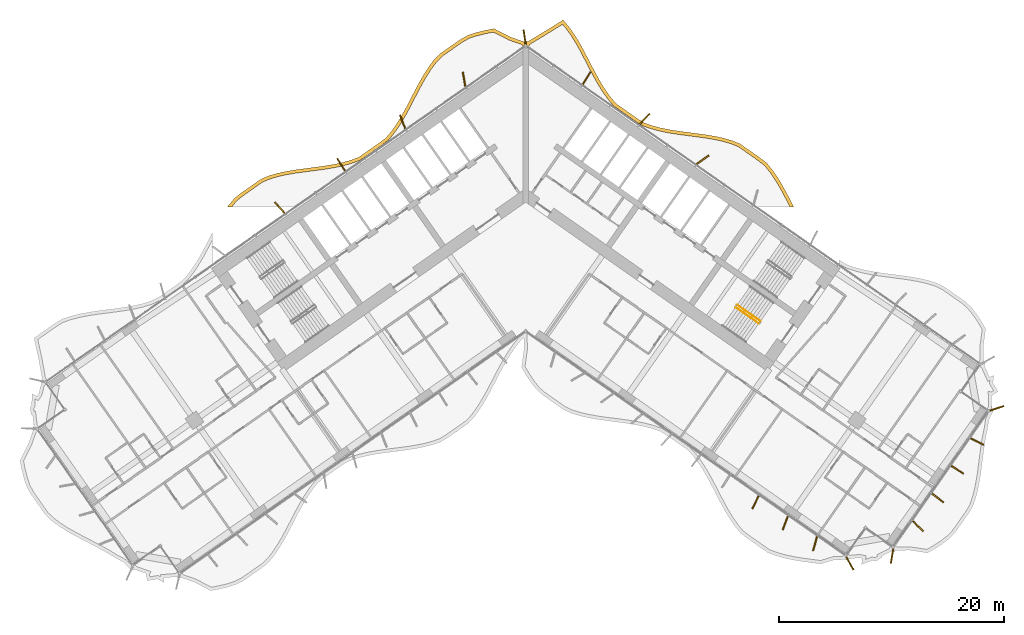
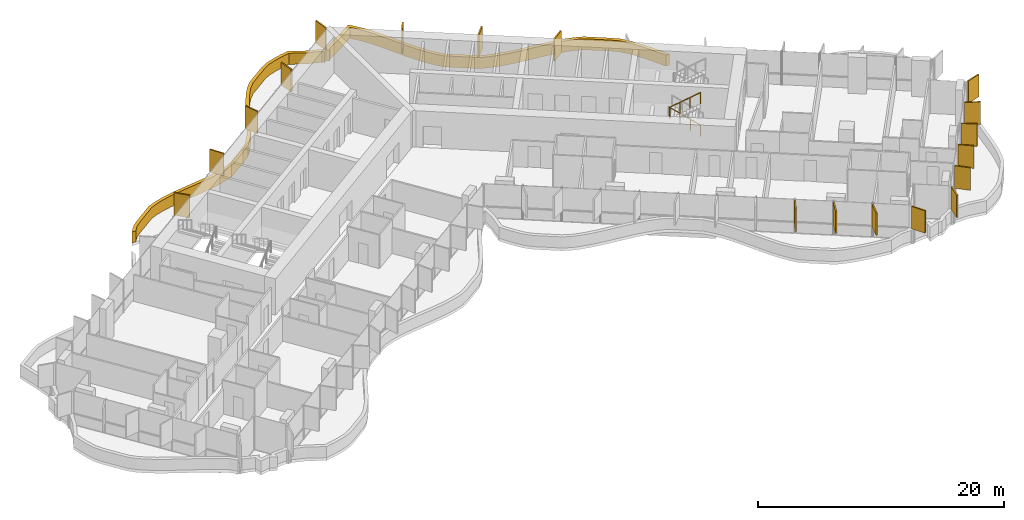
# One storey, part 22 of 23: 19 shading devices, 2 railings.
"""IFC4 building model written with IfcOpenShell, lengths in metres."""

from ifc_helpers import new_model, si_unit, direction, frame, origin, origin_2d, place, context, subcontext, project, spatial, polyline, rectangle, circle, outline, extrude, material, layer, layer_set, type_object, element, save


model = new_model("IFC4")

# Units and contexts
model_context = context("Model", 3, precision=1e-05, world=origin(), true_north=direction((0.0, 1.0)))
body_context = subcontext(model_context, "Body", "Model", "MODEL_VIEW")
ifc_project = project(units=[si_unit("LENGTHUNIT", "METRE"), si_unit("AREAUNIT", "SQUARE_METRE"), si_unit("VOLUMEUNIT", "CUBIC_METRE"), si_unit("PLANEANGLEUNIT", "RADIAN"), si_unit("MASSUNIT", "GRAM", prefix="KILO")], contexts=[model_context])

# Site, building, storey
site_placement = place(None, origin())
site = spatial("IfcSite", under=ifc_project, at=site_placement, CompositionType="ELEMENT")
building_placement = place(site_placement, origin())
building = spatial("IfcBuilding", under=site, at=building_placement, Name="Tel Ilan Convention Tower", CompositionType="ELEMENT")
storey_placement = place(building_placement, frame((0.0, 0.0, 83.300048828125)))
storey = spatial("IfcBuildingStorey", under=building, at=storey_placement, Name="L16", CompositionType="ELEMENT", Elevation=83.300048828125)

# Shading devices
ifc_material_1 = material(Name="Aluminium, bronze anodised", Category="aluminium")
ifc_layer_1 = layer(ifc_material_1, 0.1201171875)
ifc_layer_set_1 = layer_set([ifc_layer_1], Name="FIN BRONZE 1300x120")
shading_device_type_1 = type_object("IfcShadingDeviceType", Name="FIN BRONZE 1300x120", PredefinedType="USERDEFINED", material=ifc_layer_set_1)
for number, where, z_axis, x_axis, name in (
    (1, (15.761474609375, 2.5537109375, 1.10009765625), (0.0, 0.0, 1.0), (0.813552070258, 0.581492071294, 0.0), "FIN"),
    (2, (10.598388671875, 6.192138671875, 1.10009765625), (0.0, 0.0, 1.0), (0.686241637865, 0.727373641577, 0.0), "FIN"),
    (3, (5.421875, 9.817138671875, 1.10009765625), (0.0, 0.0, 1.0), (0.533204432798, 0.845986425922, 0.0), "FIN"),
    (4, (-0.09423828125, 13.469482421875, 1.10009765625), (0.0, 0.0, 1.0), (-0.144931859301, 0.989441638582, 0.0), "FIN"),
    (5, (-5.48779296875, 9.72509765625, 1.10009765625), (0.0, 0.0, 1.0), (-0.173648177667, 0.984807753012, 0.0), "FIN"),
    (6, (-10.963134765625, 5.928955078125, 1.10009765625), (0.0, 0.0, 1.0), (-0.360177724803, 0.932883704733, 0.0), "FIN"),
    (7, (-16.4296875, 2.109619140625, 1.10009765625), (0.0, 0.0, 1.0), (-0.533204432798, 0.845986425922, 0.0), "FIN"),
    (8, (-21.89306640625, -1.71630859375, 1.10009765625), (0.0, 0.0, 1.0), (-0.686241637865, 0.727373641577, 0.0), "FIN"),
    (9, (20.464111328125, -27.9423828125, 1.10009765625), (0.0, 0.0, 1.0), (-0.448799180206, -0.893632640321, 0.0), "FIN"),
    (10, (23.113525390625, -29.78955078125, 1.10009765625), (0.0, 0.0, 1.0), (-0.360177724803, -0.932883704733, 0.0), "FIN"),
    (11, (25.76513671875, -31.631103515625, 1.10009765625), (0.0, 0.0, 1.0), (-0.268172612768, -0.963370878614, 0.0), "FIN"),
    (12, (28.86865234375, -33.391357421875, 1.10009765625), (0.0, 0.0, 1.0), (0.491579408049, -0.870832754082, 0.0), "FIN"),
    (13, (32.62060546875, -32.729736328125, 1.10009765625), (0.0, 0.0, 1.0), (-0.16409119891, -0.986445172547, 0.0), "FIN"),
    (14, (34.924072265625, -30.0625, 1.10009765625), (0.0, 0.0, 1.0), (0.727373641577, -0.686241637865, 0.0), "FIN"),
    (15, (36.68115234375, -27.553955078125, 1.10009765625), (0.0, 0.0, 1.0), (0.790392669516, -0.612600545196, 0.0), "FIN"),
    (16, (38.43798828125, -25.044921875, 1.10009765625), (0.0, 0.0, 1.0), (0.845986425922, -0.533204432798, 0.0), "FIN"),
    (17, (40.1943359375, -22.535888671875, 1.10009765625), (0.0, 0.0, 1.0), (0.893632640321, -0.448799180206, 0.0), "FIN"),
    (18, (41.95263671875, -19.576171875, 1.10009765625), (0.0, 0.0, 1.0), (0.949242643575, 0.314544756146, 0.0), "FIN"),
):
    element("IfcShadingDevice", number, at=place(storey_placement, frame(where, z_axis=z_axis, x_axis=x_axis)), inside=storey, type_object=shading_device_type_1, Name=name, ObjectType="FIN", PredefinedType="USERDEFINED", context=body_context, shape_type="SweptSolid", body=[
        extrude(rectangle(XDim=1.300048828125, YDim=0.1201171875, at=origin_2d()), origin(), (0.0, 0.0, 1.0), 2.219970703125),
    ])
ifc_material_2 = material(Name="Aluminium, bronze anodised", Category="aluminium")
ifc_layer_2 = layer(ifc_material_2, 0.300048828125)
ifc_layer_set_2 = layer_set([ifc_layer_2], Name="LOUVRE BAND 300x1100")
shading_device_type_2 = type_object("IfcShadingDeviceType", Name="LOUVRE BAND 300x1100", PredefinedType="USERDEFINED", material=ifc_layer_set_2)
shading_device_placement = place(storey_placement, origin())
element("IfcShadingDevice", 19, at=shading_device_placement, inside=storey, type_object=shading_device_type_2, Name="LOUVRE BAND 15.02", ObjectType="LOUVRE", PredefinedType="USERDEFINED", context=body_context, shape_type="SweptSolid", body=[
    extrude(outline(polyline([(-26.470947265625, -1.533447265625), (-26.5380859375, -1.631591796875), (-26.164794921875, -1.631591796875), (-25.768798828125, -1.13916015625), (-25.22119140625, -0.691162109375), (-23.4189453125, 0.570556640625), (-22.757568359375, 0.845947265625), (-22.025146484375, 1.0595703125), (-21.250732421875, 1.229248046875), (-20.445556640625, 1.36474609375), (-17.94091796875, 1.697021484375), (-17.10986328125, 1.831298828125), (-16.29736328125, 2.001220703125), (-15.51171875, 2.2197265625), (-14.73974609375, 2.50537109375), (-14.091552734375, 2.951171875), (-12.86083984375, 3.812744140625), (-12.2314453125, 4.287841796875), (-11.706298828125, 4.921142578125), (-11.2373046875, 5.590576171875), (-10.803466796875, 6.300537109375), (-10.395751953125, 7.0380859375), (-9.617919921875, 8.540283203125), (-9.227294921875, 9.275390625), (-8.822509765625, 9.9814453125), (-8.39501953125, 10.64501953125), (-7.941650390625, 11.25048828125), (-7.44140625, 11.75830078125), (-5.638916015625, 13.020263671875), (-5.01953125, 13.36328125), (-4.31494140625, 13.594970703125), (-3.555908203125, 13.7822265625), (-2.858154296875, 13.91259765625), (-1.501220703125, 13.2119140625), (-0.362548828125, 12.812744140625), (-0.24609375, 12.646728515625), (0.0, 12.818115234375), (0.24609375, 12.646728515625), (0.38134765625, 12.839599609375), (1.88916015625, 13.747314453125), (3.271728515625, 14.607177734375), (3.593017578125, 14.232666015625), (4.037353515625, 13.614990234375), (4.454345703125, 12.947998046875), (4.8505859375, 12.2421875), (6.0068359375, 10.025390625), (6.4140625, 9.2998046875), (6.84814453125, 8.603759765625), (7.318115234375, 7.94921875), (7.845947265625, 7.3291015625), (9.697021484375, 6.0283203125), (10.3486328125, 5.60009765625), (11.1142578125, 5.323974609375), (11.8935546875, 5.112060546875), (12.69873046875, 4.94677734375), (13.521240234375, 4.815673828125), (15.99755859375, 4.4873046875), (16.79345703125, 4.35302734375), (17.559326171875, 4.18505859375), (18.284423828125, 3.97412109375), (18.94091796875, 3.7060546875), (20.723876953125, 2.457763671875), (21.272216796875, 2.02392578125), (21.729736328125, 1.462646484375), (22.166748046875, 0.83154296875), (22.57763671875, 0.153564453125), (22.97021484375, -0.56005859375), (23.52587890625, -1.631591796875), (23.86328125, -1.631591796875), (23.23486328125, -0.41845703125), (22.837646484375, 0.303466796875), (22.418701171875, 0.99462890625), (21.9697265625, 1.64306640625), (21.484130859375, 2.239013671875), (20.903076171875, 2.698486328125), (19.08544921875, 3.97119140625), (18.38330078125, 4.2578125), (17.63330078125, 4.47607421875), (16.8505859375, 4.647705078125), (16.043212890625, 4.783935546875), (13.564697265625, 5.112548828125), (12.75244140625, 5.241943359375), (11.963134765625, 5.404052734375), (11.20458984375, 5.610107421875), (10.483642578125, 5.8701171875), (9.865478515625, 6.276611328125), (8.050048828125, 7.55224609375), (7.5546875, 8.134033203125), (7.09765625, 8.770751953125), (6.672119140625, 9.452880859375), (6.2705078125, 10.168701171875), (5.1142578125, 12.385498046875), (4.71240234375, 13.100830078125), (4.28662109375, 13.7822265625), (3.8291015625, 14.418212890625), (3.331787109375, 14.997802734375), (1.732666015625, 14.003173828125), (0.168701171875, 13.059326171875), (0.11474609375, 13.09521484375), (0.0, 13.1181640625), (-0.11474609375, 13.09521484375), (-0.168701171875, 13.059326171875), (-1.382080078125, 13.48828125), (-2.81201171875, 14.226318359375), (-3.619384765625, 14.075439453125), (-4.39794921875, 13.883544921875), (-5.14013671875, 13.639404296875), (-5.798095703125, 13.275146484375), (-7.635986328125, 11.98828125), (-8.169677734375, 11.446533203125), (-8.641357421875, 10.81640625), (-9.078857421875, 10.13720703125), (-9.489990234375, 9.42041015625), (-9.8837890625, 8.67919921875), (-10.66015625, 7.179931640625), (-11.06298828125, 6.451416015625), (-11.488525390625, 5.755126953125), (-11.945068359375, 5.103271484375), (-12.43994140625, 4.506103515625), (-13.037353515625, 4.055419921875), (-14.87890625, 2.773681640625), (-15.60400390625, 2.50537109375), (-16.3681640625, 2.29296875), (-17.16455078125, 2.12646484375), (-17.98486328125, 1.993896484375), (-20.490966796875, 1.661376953125), (-21.307861328125, 1.52392578125), (-22.099365234375, 1.350341796875), (-22.857421875, 1.129150390625), (-23.564453125, 0.8349609375), (-25.40234375, -0.451904296875), (-25.98291015625, -0.9267578125), (-26.470947265625, -1.533447265625)])), origin(), (0.0, 0.0, 1.0), 1.099853515625),
])

# Railings
ifc_material_3 = material(Name="Stainless Steel Grade 316", Category="steel")
railing_type = type_object("IfcRailingType", Name="Stainless Steel Stair Guard 1100 mm", PredefinedType="GUARDRAIL", material=ifc_material_3)
railing_1_placement = place(storey_placement, frame((20.89697265625, -11.824462890625, 0.179931640625)))
element("IfcRailing", 20, at=railing_1_placement, inside=storey, type_object=railing_type, Name="L16 S4 stair guard 1", PredefinedType="GUARDRAIL", context=body_context, shape_type="SweptSolid", body=[
    extrude(circle(Radius=0.02392578125, at=origin_2d()), frame((0.0, 0.0, 1.076171875), z_axis=(-0.689013013563, 0.482512838948, 0.540779462804), x_axis=(-0.573624882958, -0.819118119475, 0.0)), (0.0, 0.0, 1.0), 2.995849609375),
    extrude(circle(Radius=0.02099609375, at=origin_2d()), origin(), (0.0, 0.0, 1.0), 1.052001953125),
    extrude(circle(Radius=0.02099609375, at=origin_2d()), frame((-0.68798828125, 0.48193359375, 0.5400390625)), (0.0, 0.0, 1.0), 1.052001953125),
    extrude(circle(Radius=0.02099609375, at=origin_2d()), frame((-1.376220703125, 0.963623046875, 1.080078125)), (0.0, 0.0, 1.0), 1.052001953125),
    extrude(circle(Radius=0.02099609375, at=origin_2d()), frame((-2.064208984375, 1.445556640625, 1.6201171875)), (0.0, 0.0, 1.0), 1.052001953125),
])
railing_2_placement = place(storey_placement, frame((18.689208984375, -10.583740234375, 1.97998046875)))
element("IfcRailing", 21, at=railing_2_placement, inside=storey, type_object=railing_type, Name="L16 S4 stair guard 3", PredefinedType="GUARDRAIL", context=body_context, shape_type="SweptSolid", body=[
    extrude(circle(Radius=0.02392578125, at=origin_2d()), frame((0.0, 0.0, 1.076171875), z_axis=(0.689086176785, -0.482507007183, 0.540691436018), x_axis=(0.573579365141, 0.81914999352, 0.0)), (0.0, 0.0, 1.0), 2.995849609375),
    extrude(circle(Radius=0.02099609375, at=origin_2d()), origin(), (0.0, 0.0, 1.0), 1.052001953125),
    extrude(circle(Radius=0.02099609375, at=origin_2d()), frame((0.688232421875, -0.48193359375, 0.5400390625)), (0.0, 0.0, 1.0), 1.052001953125),
    extrude(circle(Radius=0.02099609375, at=origin_2d()), frame((1.376220703125, -0.963623046875, 1.079833984375)), (0.0, 0.0, 1.0), 1.052001953125),
    extrude(circle(Radius=0.02099609375, at=origin_2d()), frame((2.064453125, -1.445556640625, 1.619873046875)), (0.0, 0.0, 1.0), 1.052001953125),
])

save(model, "model.ifc")
